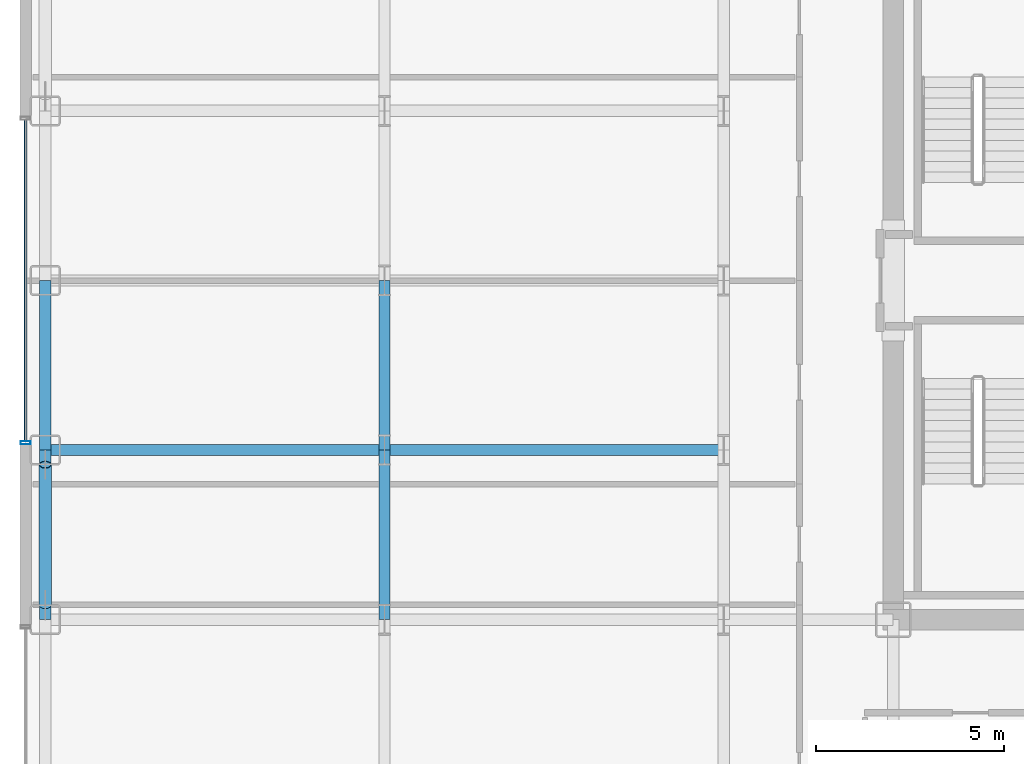
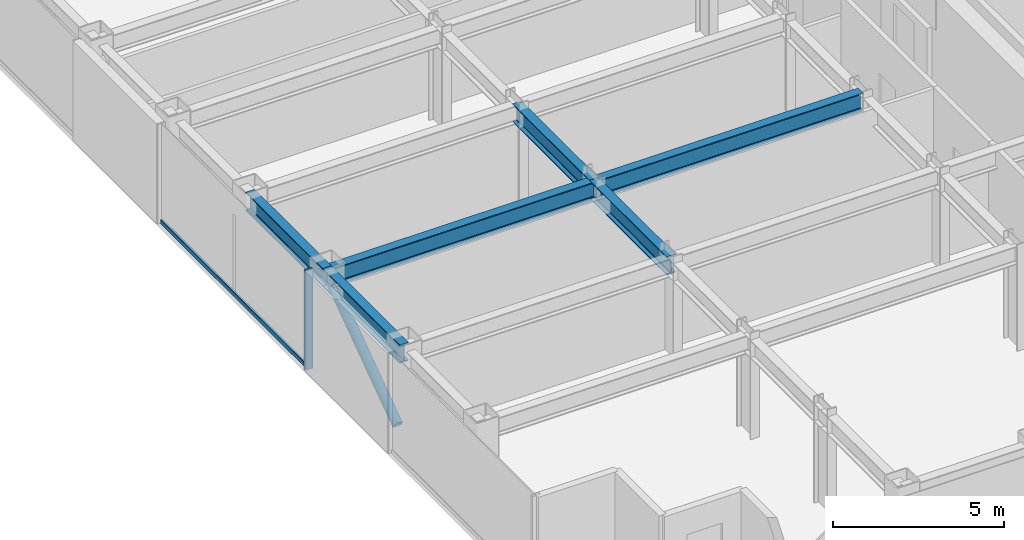
# One storey, part 6 of 27: 6 beams, 3 members, 1 element without a shape of its own.
"""IFC4 building model written with IfcOpenShell, lengths in metres."""

from ifc_helpers import new_model, si_unit, direction, frame, origin, origin_2d, place, context, subcontext, project, spatial, hollow_rectangle, hollow_circle, i_section, extrude, source, transform, mapped, material, layer, layer_set, material_profile, profile_set, type_object, element, aggregate, save


model = new_model("IFC4")

# Units and contexts
model_context = context("Model", 3, precision=1e-05, world=origin(), true_north=direction((0.0, 1.0)))
body_context = subcontext(model_context, "Body", "Model", "MODEL_VIEW")
ifc_project = project(units=[si_unit("LENGTHUNIT", "METRE"), si_unit("AREAUNIT", "SQUARE_METRE"), si_unit("VOLUMEUNIT", "CUBIC_METRE"), si_unit("PLANEANGLEUNIT", "RADIAN"), si_unit("MASSUNIT", "GRAM", prefix="KILO")], contexts=[model_context])

# Site, building, storey
site_placement = place(None, origin())
site = spatial("IfcSite", under=ifc_project, at=site_placement, CompositionType="ELEMENT")
building_placement = place(site_placement, origin())
building = spatial("IfcBuilding", under=site, at=building_placement, Name="Nefas-Gora Pilgrimage Tower", CompositionType="ELEMENT")
storey_placement = place(building_placement, frame((0.0, 0.0, 183.0)))
storey = spatial("IfcBuildingStorey", under=building, at=storey_placement, Name="L45", CompositionType="ELEMENT", Elevation=183.0)

# Beams
ifc_material_1 = material(Name="Steel S355", Category="steel")
ifc_material_profile_1 = material_profile(ifc_material_1, i_section(OverallWidth=0.300048828125, OverallDepth=0.64990234375, WebThickness=0.01611328125, FlangeThickness=0.031005859375, FilletRadius=0.027099609375, at=origin_2d()), Name="HEB 650")
ifc_profile_set_1 = profile_set([ifc_material_profile_1], Name="Steel S355")
beam_type_1 = type_object("IfcBeamType", Name="BM-SPN-HEB500", PredefinedType="SPANDREL", material=ifc_profile_set_1)
shared_shape_1 = source(origin(), body_context, "Body", "SweptSolid", [
    extrude(i_section(OverallWidth=0.300048828125, OverallDepth=0.64990234375, WebThickness=0.01611328125, FlangeThickness=0.031005859375, FilletRadius=0.027099609375, at=origin_2d()), origin(), (0.0, 0.0, 1.0), 4.5),
])
for number, where, z_axis, x_axis, name in (
    (1, (-33.75, -9.0, 3.22509765625), (0.0, 1.0, 0.0), (-1.0, 0.0, 0.0), "L45 SP-02 beam"),
    (2, (-33.75, -4.5, 3.22509765625), (0.0, 1.0, 0.0), (-1.0, 0.0, 0.0), "L45 SP-02 beam"),
):
    element("IfcBeam", number, at=place(storey_placement, frame(where, z_axis=z_axis, x_axis=x_axis)), inside=storey, type_object=beam_type_1, Name=name, PredefinedType="SPANDREL", context=body_context, shape_type="MappedRepresentation", body=[
        mapped(shared_shape_1, transform((0.0, 0.0, 0.0), x_axis=(1.0, 0.0, 0.0), y_axis=(0.0, 1.0, 0.0), z_axis=(0.0, 0.0, 1.0), scale=1.0)),
    ])
ifc_material_profile_2 = material_profile(ifc_material_1, i_section(OverallWidth=0.300048828125, OverallDepth=0.64990234375, WebThickness=0.01611328125, FlangeThickness=0.031005859375, FilletRadius=0.027099609375, at=origin_2d()), Name="HEB 650")
ifc_profile_set_2 = profile_set([ifc_material_profile_2], Name="Steel S355")
beam_type_2 = type_object("IfcBeamType", Name="BM-GIR-HEB650", PredefinedType="BEAM", material=ifc_profile_set_2)
shared_shape_2 = source(origin(), body_context, "Body", "SweptSolid", [
    extrude(i_section(OverallWidth=0.300048828125, OverallDepth=0.64990234375, WebThickness=0.01611328125, FlangeThickness=0.031005859375, FilletRadius=0.027099609375, at=origin_2d()), origin(), (0.0, 0.0, 1.0), 9.0),
])
for number, where, z_axis, x_axis, name in (
    (3, (-33.75, -4.5, 3.22509765625), (1.0, 0.0, 0.0), (0.0, 1.0, 0.0), "L45 G-03 beam"),
    (4, (-24.75, -4.5, 3.22509765625), (1.0, 0.0, 0.0), (0.0, 1.0, 0.0), "L45 G-03 beam"),
):
    element("IfcBeam", number, at=place(storey_placement, frame(where, z_axis=z_axis, x_axis=x_axis)), inside=storey, type_object=beam_type_2, Name=name, PredefinedType="BEAM", context=body_context, shape_type="MappedRepresentation", body=[
        mapped(shared_shape_2, transform((0.0, 0.0, 0.0), x_axis=(1.0, 0.0, 0.0), y_axis=(0.0, 1.0, 0.0), z_axis=(0.0, 0.0, 1.0), scale=1.0)),
    ])
shared_shape_3 = source(origin(), body_context, "Body", "SweptSolid", [
    extrude(i_section(OverallWidth=0.300048828125, OverallDepth=0.64990234375, WebThickness=0.01611328125, FlangeThickness=0.031005859375, FilletRadius=0.027099609375, at=origin_2d()), origin(), (0.0, 0.0, 1.0), 4.5),
])
for number, where, z_axis, x_axis, name in (
    (5, (-24.75, -9.0, 3.22509765625), (0.0, 1.0, 0.0), (-1.0, 0.0, 0.0), "L45 G-03 beam"),
    (6, (-24.75, -4.5, 3.22509765625), (0.0, 1.0, 0.0), (-1.0, 0.0, 0.0), "L45 G-03 beam"),
):
    element("IfcBeam", number, at=place(storey_placement, frame(where, z_axis=z_axis, x_axis=x_axis)), inside=storey, type_object=beam_type_2, Name=name, PredefinedType="BEAM", context=body_context, shape_type="MappedRepresentation", body=[
        mapped(shared_shape_3, transform((0.0, 0.0, 0.0), x_axis=(1.0, 0.0, 0.0), y_axis=(0.0, 1.0, 0.0), z_axis=(0.0, 0.0, 1.0), scale=1.0)),
    ])

# Member
ifc_material_profile_3 = material_profile(ifc_material_1, hollow_circle(Radius=0.161865234375, WallThickness=0.02001953125, at=origin_2d()), Name="CHS 323.9x20")
ifc_profile_set_3 = profile_set([ifc_material_profile_3], Name="Steel S355")
member_type_1 = type_object("IfcMemberType", Name="MEM-TUBE-324", PredefinedType="BRACE", material=ifc_profile_set_3)
shared_shape_4 = source(origin(), body_context, "Body", "SweptSolid", [
    extrude(hollow_circle(Radius=0.161865234375, WallThickness=0.02001953125, at=origin_2d()), origin(), (0.0, 0.0, 1.0), 4.579345703125),
])
member_1_placement = place(storey_placement, frame((-33.75, -8.612060546875, 0.427490234375), z_axis=(0.0, 0.813246879171, 0.581918820385), x_axis=(-1.0, 0.0, 0.0)))
element("IfcMember", 7, at=member_1_placement, inside=storey, type_object=member_type_1, Name="L45 Perimeter Tube Diagonal Brace W1", PredefinedType="BRACE", context=body_context, shape_type="MappedRepresentation", body=[
    mapped(shared_shape_4, transform((0.0, 0.0, 0.0), x_axis=(1.0, 0.0, 0.0), y_axis=(0.0, 1.0, 0.0), z_axis=(0.0, 0.0, 1.0), scale=1.0)),
])

# Curtain wall, members
ifc_material_2 = material(Name="Dark ceramic-fritted solar-control aluminium-glass curtain wall", Category="aluminium")
ifc_layer = layer(ifc_material_2, 0.219970703125)
ifc_layer_set = layer_set([ifc_layer], Name="Dark ceramic-fritted solar-control aluminium-glass curtain wall")
curtain_wall_type = type_object("IfcCurtainWallType", Name="CW-SYS-3", PredefinedType="NOTDEFINED", material=ifc_layer_set)
curtain_wall_placement = place(storey_placement, origin())
curtain_wall = element("IfcCurtainWall", 8, at=curtain_wall_placement, inside=storey, type_object=curtain_wall_type, Name="L45 Unitised Curtain Wall CW3", PredefinedType="NOTDEFINED")
ifc_material_3 = material(Name="Anodised architectural aluminium", Category="aluminium")
ifc_material_profile_4 = material_profile(ifc_material_3, hollow_rectangle(XDim=0.090087890625, YDim=0.260009765625, WallThickness=0.006103515625, InnerFilletRadius=0.006103515625, OuterFilletRadius=0.011962890625, at=origin_2d()), Name="ALU MULLION 90x260")
ifc_profile_set_4 = profile_set([ifc_material_profile_4], Name="Anodised architectural aluminium")
member_type_2 = type_object("IfcMemberType", Name="CWM-MUL-3", PredefinedType="MULLION", material=ifc_profile_set_4)
shared_shape_5 = source(origin(), body_context, "Body", "SweptSolid", [
    extrude(hollow_rectangle(XDim=0.090087890625, YDim=0.260009765625, WallThickness=0.006103515625, InnerFilletRadius=0.006103515625, OuterFilletRadius=0.011962890625, at=origin_2d()), origin(), (0.0, 0.0, 1.0), 3.550048828125),
])
member_2_placement = place(storey_placement, frame((-34.27001953125, -4.304931640625, 0.0), z_axis=(0.0, 0.0, 1.0), x_axis=(0.0, -1.0, 0.0)))
member_2 = element("IfcMember", 9, at=member_2_placement, type_object=member_type_2, Name="CW3 Mullion 2", PredefinedType="MULLION", context=body_context, shape_type="MappedRepresentation", body=[
    mapped(shared_shape_5, transform((0.0, 0.0, 0.0), x_axis=(1.0, 0.0, 0.0), y_axis=(0.0, 1.0, 0.0), z_axis=(0.0, 0.0, 1.0), scale=1.0)),
])
ifc_material_profile_5 = material_profile(ifc_material_3, hollow_rectangle(XDim=0.080078125, YDim=0.159912109375, WallThickness=0.00439453125, InnerFilletRadius=0.00439453125, OuterFilletRadius=0.009033203125, at=origin_2d()), Name="ALU TRANSOM 80x160")
ifc_profile_set_5 = profile_set([ifc_material_profile_5], Name="Anodised architectural aluminium")
member_type_3 = type_object("IfcMemberType", Name="CWM-TRN-3", PredefinedType="USERDEFINED", material=ifc_profile_set_5)
shared_shape_6 = source(origin(), body_context, "Body", "SweptSolid", [
    extrude(hollow_rectangle(XDim=0.080078125, YDim=0.159912109375, WallThickness=0.00439453125, InnerFilletRadius=0.00439453125, OuterFilletRadius=0.009033203125, at=origin_2d()), origin(), (0.0, 0.0, 1.0), 8.52001953125),
])
member_3_placement = place(storey_placement, frame((-34.27001953125, 4.260009765625, 0.050048828125), z_axis=(0.0, -1.0, 0.0), x_axis=(1.0, 0.0, 0.0)))
member_3 = element("IfcMember", 10, at=member_3_placement, type_object=member_type_3, Name="CW3 Spandrel Transom", ObjectType="TRANSOM", PredefinedType="USERDEFINED", context=body_context, shape_type="MappedRepresentation", body=[
    mapped(shared_shape_6, transform((0.0, 0.0, 0.0), x_axis=(1.0, 0.0, 0.0), y_axis=(0.0, 1.0, 0.0), z_axis=(0.0, 0.0, 1.0), scale=1.0)),
])
aggregate(curtain_wall, [member_2, member_3])

save(model, "model.ifc")
